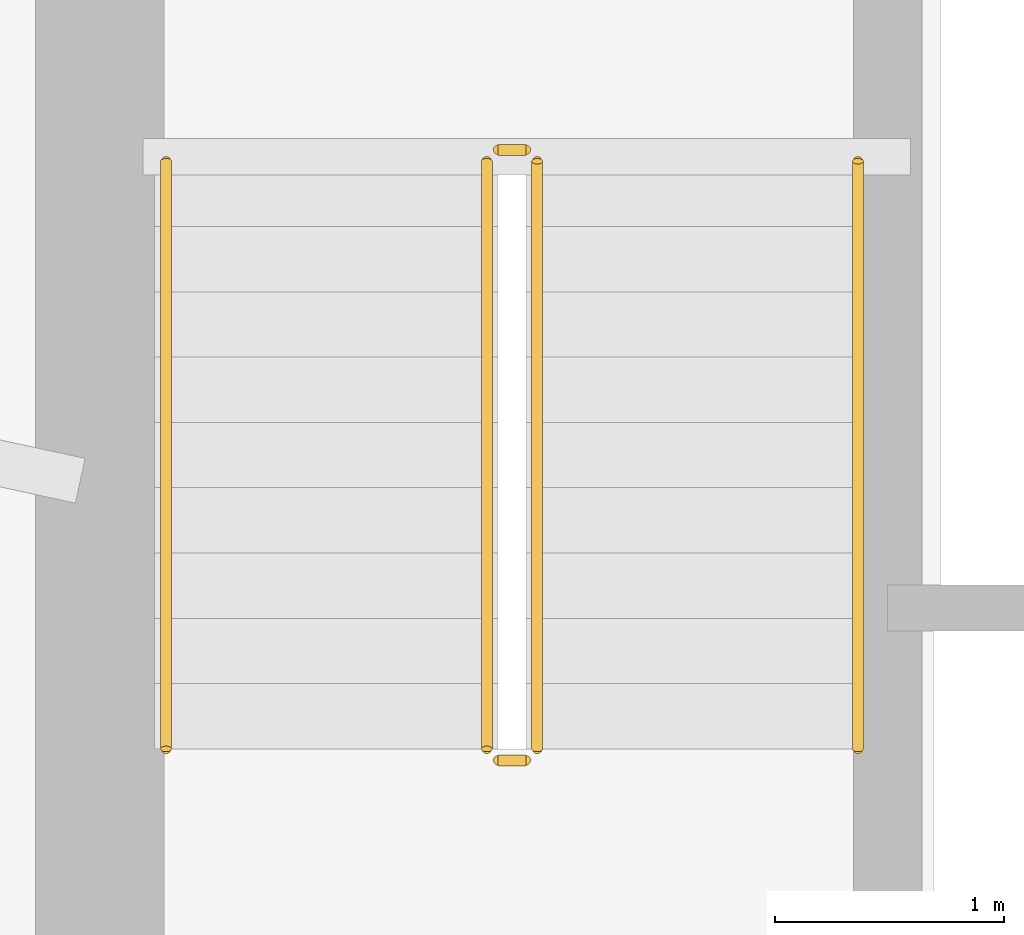
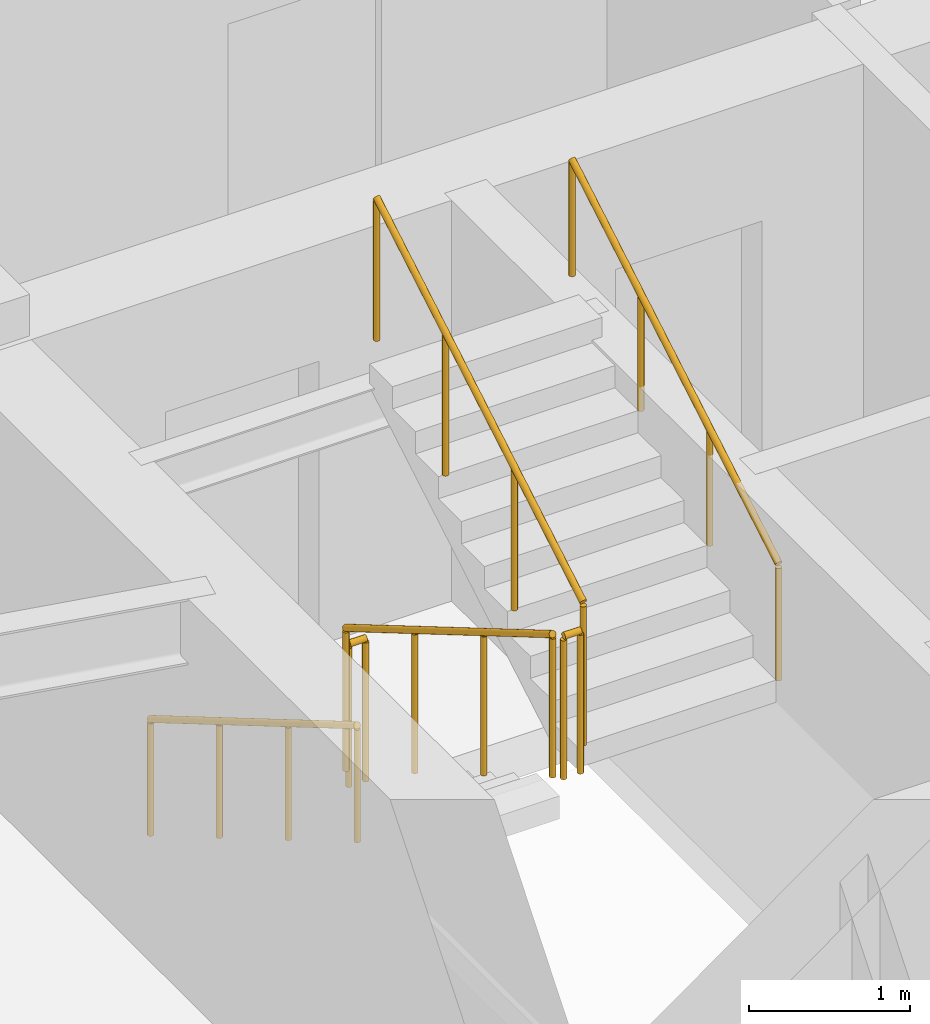
# One storey, part 20 of 21: 6 railings.
"""IFC4 building model written with IfcOpenShell, lengths in metres."""

from ifc_helpers import new_model, si_unit, direction, frame, origin, origin_2d, place, context, subcontext, project, spatial, circle, extrude, material, type_object, element, save


model = new_model("IFC4")

# Units and contexts
model_context = context("Model", 3, precision=1e-05, world=origin(), true_north=direction((0.0, 1.0)))
body_context = subcontext(model_context, "Body", "Model", "MODEL_VIEW")
ifc_project = project(units=[si_unit("LENGTHUNIT", "METRE"), si_unit("AREAUNIT", "SQUARE_METRE"), si_unit("VOLUMEUNIT", "CUBIC_METRE"), si_unit("PLANEANGLEUNIT", "RADIAN"), si_unit("MASSUNIT", "GRAM", prefix="KILO")], contexts=[model_context])

# Site, building, storey
site_placement = place(None, origin())
site = spatial("IfcSite", under=ifc_project, at=site_placement, CompositionType="ELEMENT")
building_placement = place(site_placement, origin())
building = spatial("IfcBuilding", under=site, at=building_placement, Name="Qobustan Lattice House", CompositionType="ELEMENT")
storey_placement = place(building_placement, frame((0.0, 0.0, 30.35009765625)))
storey = spatial("IfcBuildingStorey", under=building, at=storey_placement, Name="L07", CompositionType="ELEMENT", Elevation=30.35009765625)

# Railings
ifc_material_1 = material(Name="Brushed stainless steel handrail", Category="steel")
railing_type_1 = type_object("IfcRailingType", Name="RAL-HR-920", PredefinedType="HANDRAIL", material=ifc_material_1)
railing_1_placement = place(storey_placement, frame((-18.199951171875, 3.5, 0.16748046875)))
element("IfcRailing", 1, at=railing_1_placement, inside=storey, type_object=railing_type_1, Name="L07 ST-W1 stair handrail 1", PredefinedType="HANDRAIL", context=body_context, shape_type="SweptSolid", body=[
    extrude(circle(Radius=0.02392578125, at=origin_2d()), frame((0.0, 0.0, 0.8759765625), z_axis=(0.0, -0.862149314443, 0.506654280161), x_axis=(1.0, 0.0, 0.0)), (0.0, 0.0, 1.0), 2.97509765625),
    extrude(circle(Radius=0.02099609375, at=origin_2d()), origin(), (0.0, 0.0, 1.0), 0.851806640625),
    extrude(circle(Radius=0.02099609375, at=origin_2d()), frame((0.0, -0.85498046875, 0.50244140625)), (0.0, 0.0, 1.0), 0.851806640625),
    extrude(circle(Radius=0.02099609375, at=origin_2d()), frame((0.0, -1.7099609375, 1.0048828125)), (0.0, 0.0, 1.0), 0.851806640625),
    extrude(circle(Radius=0.02099609375, at=origin_2d()), frame((0.0, -2.56494140625, 1.50732421875)), (0.0, 0.0, 1.0), 0.851806640625),
])
railing_2_placement = place(storey_placement, frame((-15.179931640625, 0.93505859375, 1.84228515625)))
element("IfcRailing", 2, at=railing_2_placement, inside=storey, type_object=railing_type_1, Name="L07 ST-W1 stair handrail 2", PredefinedType="HANDRAIL", context=body_context, shape_type="SweptSolid", body=[
    extrude(circle(Radius=0.02392578125, at=origin_2d()), frame((0.0, 0.0, 0.8759765625), z_axis=(0.0, 0.862113467892, 0.50671527358), x_axis=(-1.0, 0.0, 0.0)), (0.0, 0.0, 1.0), 2.97509765625),
    extrude(circle(Radius=0.02099609375, at=origin_2d()), origin(), (0.0, 0.0, 1.0), 0.851806640625),
    extrude(circle(Radius=0.02099609375, at=origin_2d()), frame((0.0, 0.85498046875, 0.50244140625)), (0.0, 0.0, 1.0), 0.851806640625),
    extrude(circle(Radius=0.02099609375, at=origin_2d()), frame((0.0, 1.7099609375, 1.005126953125)), (0.0, 0.0, 1.0), 0.851806640625),
    extrude(circle(Radius=0.02099609375, at=origin_2d()), frame((0.0, 2.56494140625, 1.507568359375)), (0.0, 0.0, 1.0), 0.851806640625),
])
ifc_material_2 = material(Name="Painted galvanized steel guardrail", Category="steel")
railing_type_2 = type_object("IfcRailingType", Name="RAL-STG-1150", PredefinedType="GUARDRAIL", material=ifc_material_2)
railing_3_placement = place(storey_placement, frame((-16.800048828125, 3.5, 0.16748046875)))
element("IfcRailing", 3, at=railing_3_placement, inside=storey, type_object=railing_type_2, Name="L07 ST-W1 stair guard 1", PredefinedType="GUARDRAIL", context=body_context, shape_type="SweptSolid", body=[
    extrude(circle(Radius=0.02392578125, at=origin_2d()), frame((0.0, 0.0, 1.076171875), z_axis=(0.0, -0.862149314443, 0.506654280161), x_axis=(1.0, 0.0, 0.0)), (0.0, 0.0, 1.0), 2.97509765625),
    extrude(circle(Radius=0.02099609375, at=origin_2d()), origin(), (0.0, 0.0, 1.0), 1.052001953125),
    extrude(circle(Radius=0.02099609375, at=origin_2d()), frame((0.0, -0.85498046875, 0.50244140625)), (0.0, 0.0, 1.0), 1.052001953125),
    extrude(circle(Radius=0.02099609375, at=origin_2d()), frame((0.0, -1.7099609375, 1.0048828125)), (0.0, 0.0, 1.0), 1.052001953125),
    extrude(circle(Radius=0.02099609375, at=origin_2d()), frame((0.0, -2.56494140625, 1.50732421875)), (0.0, 0.0, 1.0), 1.052001953125),
])
railing_4_placement = place(storey_placement, frame((-16.75, 0.885009765625, 1.6748046875)))
element("IfcRailing", 4, at=railing_4_placement, inside=storey, type_object=railing_type_2, Name="L07 ST-W1 stair guard 2", PredefinedType="GUARDRAIL", context=body_context, shape_type="SweptSolid", body=[
    extrude(circle(Radius=0.02392578125, at=origin_2d()), frame((0.0, 0.0, 1.076171875), z_axis=(1.0, 0.0, 0.0), x_axis=(0.0, 1.0, 0.0)), (0.0, 0.0, 1.0), 0.1201171875),
    extrude(circle(Radius=0.02099609375, at=origin_2d()), origin(), (0.0, 0.0, 1.0), 1.052001953125),
    extrude(circle(Radius=0.02099609375, at=origin_2d()), frame((0.1201171875, 0.0, 0.0)), (0.0, 0.0, 1.0), 1.052001953125),
])
railing_5_placement = place(storey_placement, frame((-16.580078125, 0.93505859375, 1.84228515625)))
element("IfcRailing", 5, at=railing_5_placement, inside=storey, type_object=railing_type_2, Name="L07 ST-W1 stair guard 3", PredefinedType="GUARDRAIL", context=body_context, shape_type="SweptSolid", body=[
    extrude(circle(Radius=0.02392578125, at=origin_2d()), frame((0.0, 0.0, 1.076171875), z_axis=(0.0, 0.862113467892, 0.50671527358), x_axis=(-1.0, 0.0, 0.0)), (0.0, 0.0, 1.0), 2.97509765625),
    extrude(circle(Radius=0.02099609375, at=origin_2d()), origin(), (0.0, 0.0, 1.0), 1.052001953125),
    extrude(circle(Radius=0.02099609375, at=origin_2d()), frame((0.0, 0.85498046875, 0.50244140625)), (0.0, 0.0, 1.0), 1.052001953125),
    extrude(circle(Radius=0.02099609375, at=origin_2d()), frame((0.0, 1.7099609375, 1.005126953125)), (0.0, 0.0, 1.0), 1.052001953125),
    extrude(circle(Radius=0.02099609375, at=origin_2d()), frame((0.0, 2.56494140625, 1.507568359375)), (0.0, 0.0, 1.0), 1.052001953125),
])
railing_6_placement = place(storey_placement, frame((-16.75, 3.550048828125, 0.0)))
element("IfcRailing", 6, at=railing_6_placement, inside=storey, type_object=railing_type_2, Name="L07 ST-W1 stair guard 4", PredefinedType="GUARDRAIL", context=body_context, shape_type="SweptSolid", body=[
    extrude(circle(Radius=0.02392578125, at=origin_2d()), frame((0.0, 0.0, 1.076171875), z_axis=(1.0, 0.0, 0.0), x_axis=(0.0, 1.0, 0.0)), (0.0, 0.0, 1.0), 0.1201171875),
    extrude(circle(Radius=0.02099609375, at=origin_2d()), origin(), (0.0, 0.0, 1.0), 1.052001953125),
    extrude(circle(Radius=0.02099609375, at=origin_2d()), frame((0.1201171875, 0.0, 0.0)), (0.0, 0.0, 1.0), 1.052001953125),
])

save(model, "model.ifc")
